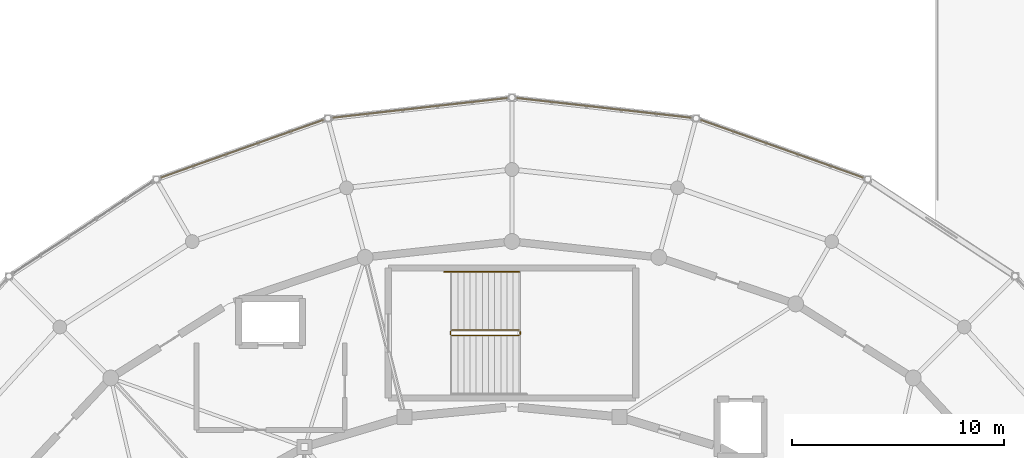
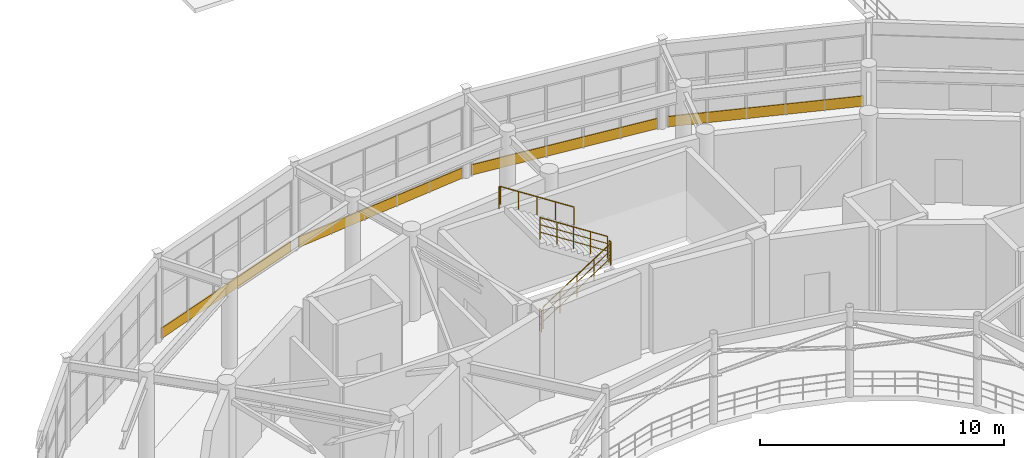
# One storey, part 57 of 60: 5 railings, 4 coverings.
"""IFC4 building model written with IfcOpenShell, lengths in metres."""

from ifc_helpers import new_model, si_unit, direction, frame, origin, origin_2d, place, context, subcontext, project, spatial, rectangle, circle, extrude, material, layer, layer_set, type_object, element, save


model = new_model("IFC4")

# Units and contexts
model_context = context("Model", 3, precision=1e-05, world=origin(), true_north=direction((0.0, 1.0)))
body_context = subcontext(model_context, "Body", "Model", "MODEL_VIEW")
ifc_project = project(units=[si_unit("LENGTHUNIT", "METRE"), si_unit("AREAUNIT", "SQUARE_METRE"), si_unit("VOLUMEUNIT", "CUBIC_METRE"), si_unit("PLANEANGLEUNIT", "RADIAN"), si_unit("MASSUNIT", "GRAM", prefix="KILO")], contexts=[model_context])

# Site, building, storey
site_placement = place(None, origin())
site = spatial("IfcSite", under=ifc_project, at=site_placement, CompositionType="ELEMENT")
building_placement = place(site_placement, origin())
building = spatial("IfcBuilding", under=site, at=building_placement, Name="Cinderbank Siding Concert Hall", CompositionType="ELEMENT")
storey_placement = place(building_placement, frame((0.0, 0.0, 14.699951171875)))
storey = spatial("IfcBuildingStorey", under=building, at=storey_placement, Name="L04", CompositionType="ELEMENT", Elevation=14.699951171875)

# Coverings
ifc_material_1 = material(Name="Spotted gum glulam timber GL18 (42 MPa)", Category="wood")
ifc_layer = layer(ifc_material_1, 0.06494140625)
ifc_layer_set = layer_set([ifc_layer], Name="Spotted gum glulam timber GL18 (42 MPa)")
covering_type = type_object("IfcCoveringType", Name="CL-01 Spotted Gum Spandrel Band 520mm", PredefinedType="CLADDING", material=ifc_layer_set)
covering_1_placement = place(storey_placement, frame((134.748291015625, 70.380126953125, 0.0), z_axis=(0.0, 0.0, 1.0), x_axis=(-0.942365662238, 0.334584755532, 0.0)))
element("IfcCovering", 1, at=covering_1_placement, inside=storey, type_object=covering_type, Name="CW-L04-052 Spotted Gum Spandrel Band", PredefinedType="CLADDING", context=body_context, shape_type="SweptSolid", body=[
    extrude(rectangle(XDim=8.1455078125, YDim=0.06494140625, at=origin_2d()), origin(), (0.0, 0.0, 1.0), 0.52001953125),
])
for number, where, z_axis, x_axis, name in (
    (2, (126.34814453125, 72.309326171875, 0.0), (0.0, 0.0, 1.0), (-0.993693605349, 0.112129472879, 0.0), "CW-L04-053 Spotted Gum Spandrel Band"),
    (3, (117.65185546875, 72.309326171875, 0.0), (0.0, 0.0, 1.0), (-0.993693605349, -0.112129472879, 0.0), "CW-L04-054 Spotted Gum Spandrel Band"),
):
    element("IfcCovering", number, at=place(storey_placement, frame(where, z_axis=z_axis, x_axis=x_axis)), inside=storey, type_object=covering_type, Name=name, PredefinedType="CLADDING", context=body_context, shape_type="SweptSolid", body=[
        extrude(rectangle(XDim=8.297607421875, YDim=0.06494140625, at=origin_2d()), origin(), (0.0, 0.0, 1.0), 0.52001953125),
    ])
covering_2_placement = place(storey_placement, frame((109.251953125, 70.380126953125, 0.0), z_axis=(0.0, 0.0, 1.0), x_axis=(-0.942365662238, -0.334584755532, 0.0)))
element("IfcCovering", 4, at=covering_2_placement, inside=storey, type_object=covering_type, Name="CW-L04-055 Spotted Gum Spandrel Band", PredefinedType="CLADDING", context=body_context, shape_type="SweptSolid", body=[
    extrude(rectangle(XDim=8.1455078125, YDim=0.06494140625, at=origin_2d()), origin(), (0.0, 0.0, 1.0), 0.52001953125),
])

# Railings
ifc_material_2 = material(Name="Structural steel AS/NZS 3679.1 Grade 350 (340 MPa)", Category="steel")
railing_type_1 = type_object("IfcRailingType", Name="STG-01 Stair Well Guardrail 1120mm", PredefinedType="GUARDRAIL", material=ifc_material_2)
railing_1_placement = place(storey_placement, frame((119.14990234375, 61.550048828125, 0.1875)))
element("IfcRailing", 5, at=railing_1_placement, inside=storey, type_object=railing_type_1, Name="L04 ST-01 stair guard 1", PredefinedType="GUARDRAIL", context=body_context, shape_type="SweptSolid", body=[
    extrude(circle(Radius=0.02392578125, at=origin_2d()), frame((0.0, 0.0, 1.09619140625), z_axis=(0.839778728322, 0.0, 0.542928805147), x_axis=(0.0, 1.0, 0.0)), (0.0, 0.0, 1.0), 3.798828125),
    extrude(circle(Radius=0.01611328125, at=origin_2d()), frame((0.0, 0.0, 0.36962890625), z_axis=(0.839778728322, 0.0, 0.542928805147), x_axis=(0.0, 1.0, 0.0)), (0.0, 0.0, 1.0), 3.798828125),
    extrude(circle(Radius=0.01611328125, at=origin_2d()), frame((0.0, 0.0, 0.7392578125), z_axis=(0.839778728322, 0.0, 0.542928805147), x_axis=(0.0, 1.0, 0.0)), (0.0, 0.0, 1.0), 3.798828125),
    extrude(circle(Radius=0.02099609375, at=origin_2d()), origin(), (0.0, 0.0, 1.0), 1.072021484375),
    extrude(circle(Radius=0.02099609375, at=origin_2d()), frame((0.797607421875, 0.0, 0.515625)), (0.0, 0.0, 1.0), 1.072021484375),
    extrude(circle(Radius=0.02099609375, at=origin_2d()), frame((1.59521484375, 0.0, 1.03125)), (0.0, 0.0, 1.0), 1.072021484375),
    extrude(circle(Radius=0.02099609375, at=origin_2d()), frame((2.392578125, 0.0, 1.546875)), (0.0, 0.0, 1.0), 1.072021484375),
    extrude(circle(Radius=0.02099609375, at=origin_2d()), frame((3.190185546875, 0.0, 2.0625)), (0.0, 0.0, 1.0), 1.072021484375),
])
railing_2_placement = place(storey_placement, frame((122.389892578125, 61.60009765625, 2.25)))
element("IfcRailing", 6, at=railing_2_placement, inside=storey, type_object=railing_type_1, Name="L04 ST-01 stair guard 2", PredefinedType="GUARDRAIL", context=body_context, shape_type="SweptSolid", body=[
    extrude(circle(Radius=0.02392578125, at=origin_2d()), frame((0.0, 0.0, 1.09619140625), z_axis=(0.0, 1.0, 0.0), x_axis=(-1.0, 0.0, 0.0)), (0.0, 0.0, 1.0), 0.159912109375),
    extrude(circle(Radius=0.01611328125, at=origin_2d()), frame((0.0, 0.0, 0.36962890625), z_axis=(0.0, 1.0, 0.0), x_axis=(-1.0, 0.0, 0.0)), (0.0, 0.0, 1.0), 0.159912109375),
    extrude(circle(Radius=0.01611328125, at=origin_2d()), frame((0.0, 0.0, 0.7392578125), z_axis=(0.0, 1.0, 0.0), x_axis=(-1.0, 0.0, 0.0)), (0.0, 0.0, 1.0), 0.159912109375),
    extrude(circle(Radius=0.02099609375, at=origin_2d()), origin(), (0.0, 0.0, 1.0), 1.072021484375),
    extrude(circle(Radius=0.02099609375, at=origin_2d()), frame((0.0, 0.159912109375, 0.0)), (0.0, 0.0, 1.0), 1.072021484375),
])
railing_3_placement = place(storey_placement, frame((122.340087890625, 61.81005859375, 2.4375)))
element("IfcRailing", 7, at=railing_3_placement, inside=storey, type_object=railing_type_1, Name="L04 ST-01 stair guard 3", PredefinedType="GUARDRAIL", context=body_context, shape_type="SweptSolid", body=[
    extrude(circle(Radius=0.02392578125, at=origin_2d()), frame((0.0, 0.0, 1.09619140625), z_axis=(-0.839778728322, 0.0, 0.542928805147), x_axis=(0.0, -1.0, 0.0)), (0.0, 0.0, 1.0), 3.798828125),
    extrude(circle(Radius=0.01611328125, at=origin_2d()), frame((0.0, 0.0, 0.36962890625), z_axis=(-0.839778728322, 0.0, 0.542928805147), x_axis=(0.0, -1.0, 0.0)), (0.0, 0.0, 1.0), 3.798828125),
    extrude(circle(Radius=0.01611328125, at=origin_2d()), frame((0.0, 0.0, 0.7392578125), z_axis=(-0.839778728322, 0.0, 0.542928805147), x_axis=(0.0, -1.0, 0.0)), (0.0, 0.0, 1.0), 3.798828125),
    extrude(circle(Radius=0.02099609375, at=origin_2d()), origin(), (0.0, 0.0, 1.0), 1.072021484375),
    extrude(circle(Radius=0.02099609375, at=origin_2d()), frame((-0.797607421875, 0.0, 0.515625)), (0.0, 0.0, 1.0), 1.072021484375),
    extrude(circle(Radius=0.02099609375, at=origin_2d()), frame((-1.59521484375, 0.0, 1.03125)), (0.0, 0.0, 1.0), 1.072021484375),
    extrude(circle(Radius=0.02099609375, at=origin_2d()), frame((-2.392578125, 0.0, 1.546875)), (0.0, 0.0, 1.0), 1.072021484375),
    extrude(circle(Radius=0.02099609375, at=origin_2d()), frame((-3.190185546875, 0.0, 2.0625)), (0.0, 0.0, 1.0), 1.072021484375),
])
railing_4_placement = place(storey_placement, frame((119.10009765625, 61.60009765625, 0.0)))
element("IfcRailing", 8, at=railing_4_placement, inside=storey, type_object=railing_type_1, Name="L04 ST-01 stair guard 4", PredefinedType="GUARDRAIL", context=body_context, shape_type="SweptSolid", body=[
    extrude(circle(Radius=0.02392578125, at=origin_2d()), frame((0.0, 0.0, 1.09619140625), z_axis=(0.0, 1.0, 0.0), x_axis=(-1.0, 0.0, 0.0)), (0.0, 0.0, 1.0), 0.159912109375),
    extrude(circle(Radius=0.01611328125, at=origin_2d()), frame((0.0, 0.0, 0.36962890625), z_axis=(0.0, 1.0, 0.0), x_axis=(-1.0, 0.0, 0.0)), (0.0, 0.0, 1.0), 0.159912109375),
    extrude(circle(Radius=0.01611328125, at=origin_2d()), frame((0.0, 0.0, 0.7392578125), z_axis=(0.0, 1.0, 0.0), x_axis=(-1.0, 0.0, 0.0)), (0.0, 0.0, 1.0), 0.159912109375),
    extrude(circle(Radius=0.02099609375, at=origin_2d()), origin(), (0.0, 0.0, 1.0), 1.072021484375),
    extrude(circle(Radius=0.02099609375, at=origin_2d()), frame((0.0, 0.159912109375, 0.0)), (0.0, 0.0, 1.0), 1.072021484375),
])
railing_type_2 = type_object("IfcRailingType", Name="STH-01 Stair Pitch Handrail 920mm", PredefinedType="HANDRAIL", material=ifc_material_2)
railing_5_placement = place(storey_placement, frame((122.340087890625, 64.56005859375, 2.4375)))
element("IfcRailing", 9, at=railing_5_placement, inside=storey, type_object=railing_type_2, Name="L04 ST-01 stair handrail 2", PredefinedType="HANDRAIL", context=body_context, shape_type="SweptSolid", body=[
    extrude(circle(Radius=0.02392578125, at=origin_2d()), frame((0.0, 0.0, 0.89599609375), z_axis=(-0.839762940478, 0.0, 0.542953224319), x_axis=(0.0, -1.0, 0.0)), (0.0, 0.0, 1.0), 4.14404296875),
    extrude(circle(Radius=0.02392578125, at=origin_2d()), frame((-3.47998046875, 0.0, 3.14599609375), z_axis=(-1.0, 0.0, 0.0), x_axis=(0.0, -1.0, 0.0)), (0.0, 0.0, 1.0), 0.06005859375),
    extrude(circle(Radius=0.02099609375, at=origin_2d()), origin(), (0.0, 0.0, 1.0), 0.871826171875),
    extrude(circle(Radius=0.02099609375, at=origin_2d()), frame((-0.8701171875, 0.0, 0.5625)), (0.0, 0.0, 1.0), 0.871826171875),
    extrude(circle(Radius=0.02099609375, at=origin_2d()), frame((-1.739990234375, 0.0, 1.125)), (0.0, 0.0, 1.0), 0.871826171875),
    extrude(circle(Radius=0.02099609375, at=origin_2d()), frame((-2.60986328125, 0.0, 1.6875)), (0.0, 0.0, 1.0), 0.871826171875),
    extrude(circle(Radius=0.02099609375, at=origin_2d()), frame((-3.47998046875, 0.0, 2.25)), (0.0, 0.0, 1.0), 0.871826171875),
    extrude(circle(Radius=0.02099609375, at=origin_2d()), frame((-3.5400390625, 0.0, 2.0625)), (0.0, 0.0, 1.0), 1.059326171875),
])

save(model, "model.ifc")
